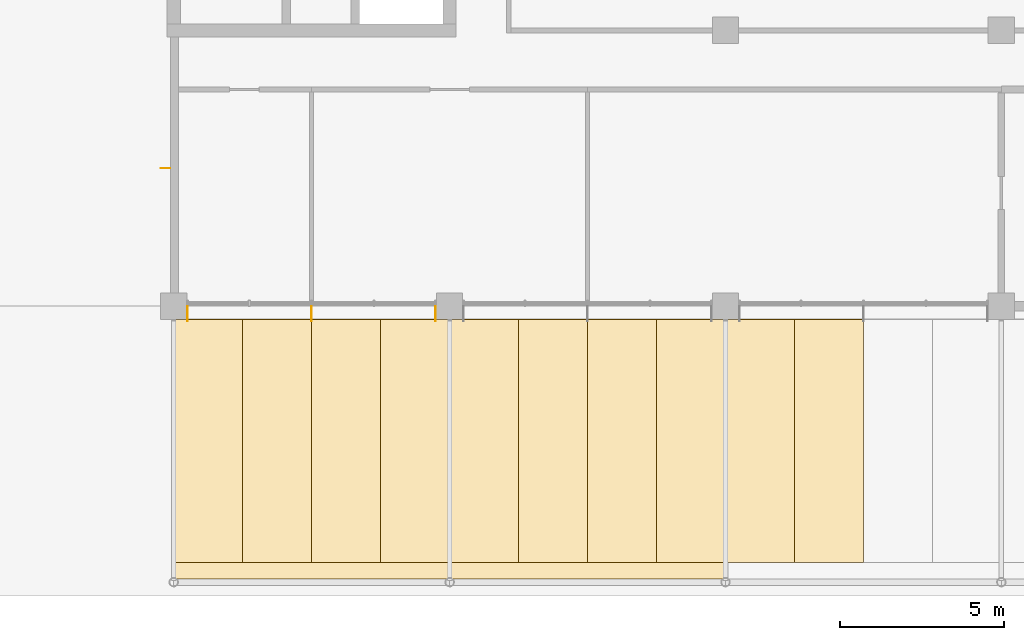
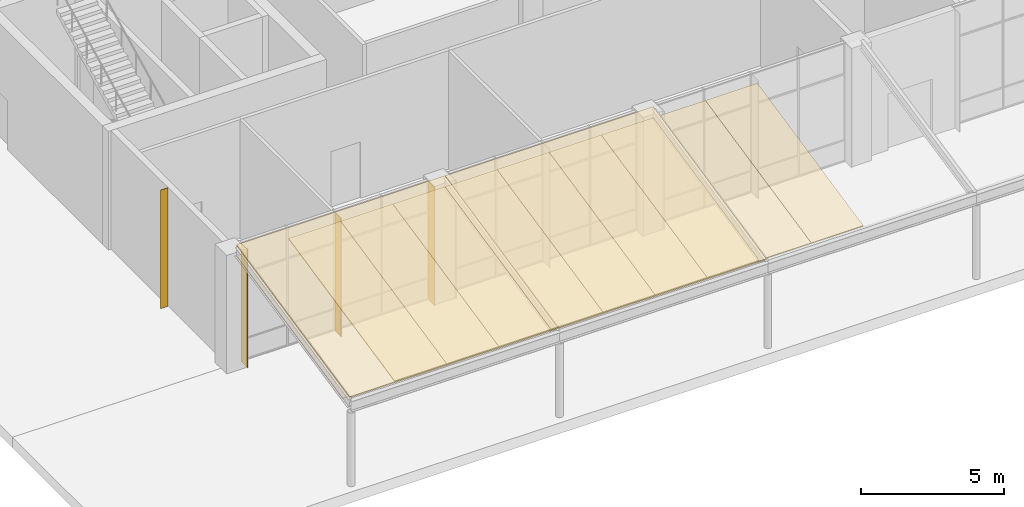
# One storey, part 56 of 76: 12 coverings, 4 shading devices.
"""IFC4 building model written with IfcOpenShell, lengths in metres."""

from ifc_helpers import new_model, si_unit, direction, frame, origin, origin_2d, place, context, subcontext, project, spatial, polyline, rectangle, outline, extrude, material, layer, layer_set, type_object, element, save


model = new_model("IFC4")

# Units and contexts
model_context = context("Model", 3, precision=1e-05, world=origin(), true_north=direction((0.0, 1.0)))
body_context = subcontext(model_context, "Body", "Model", "MODEL_VIEW")
ifc_project = project(units=[si_unit("LENGTHUNIT", "METRE"), si_unit("AREAUNIT", "SQUARE_METRE"), si_unit("VOLUMEUNIT", "CUBIC_METRE"), si_unit("PLANEANGLEUNIT", "RADIAN"), si_unit("MASSUNIT", "GRAM", prefix="KILO")], contexts=[model_context])

# Site, building, storey
site_placement = place(None, origin())
site = spatial("IfcSite", under=ifc_project, at=site_placement, CompositionType="ELEMENT")
building_placement = place(site_placement, origin())
building = spatial("IfcBuilding", under=site, at=building_placement, Name="Hlaing Beacon Police Headquarters", CompositionType="ELEMENT")
storey_placement = place(building_placement, origin())
storey = spatial("IfcBuildingStorey", under=building, at=storey_placement, Name="L00", CompositionType="ELEMENT", Elevation=0.0)

# Shading devices
ifc_material_1 = material(Name="Aluminium 6063-T5 anodised", Category="aluminium")
ifc_layer_1 = layer(ifc_material_1, 0.011962890625)
ifc_layer_set_1 = layer_set([ifc_layer_1], Name="Aluminium 6063-T5 anodised")
shading_device_type_1 = type_object("IfcShadingDeviceType", Name="Aluminium fin 12x300", PredefinedType="JALOUSIE", material=ifc_layer_set_1)
shading_device_placement = place(storey_placement, frame((8.14990234375, 12.60009765625, 0.0), z_axis=(0.0, 0.0, 1.0), x_axis=(0.0, -1.0, 0.0)))
element("IfcShadingDevice", 1, at=shading_device_placement, inside=storey, type_object=shading_device_type_1, Name="Fin L00 W005", PredefinedType="JALOUSIE", context=body_context, shape_type="SweptSolid", body=[
    extrude(rectangle(XDim=0.011962890625, YDim=0.300048828125, at=origin_2d()), origin(), (0.0, 0.0, 1.0), 5.050048828125),
])
ifc_material_2 = material(Name="Aluminium 6063-T5 anodised", Category="aluminium")
ifc_layer_2 = layer(ifc_material_2, 0.011962890625)
ifc_layer_set_2 = layer_set([ifc_layer_2], Name="Aluminium 6063-T5 anodised")
shading_device_type_2 = type_object("IfcShadingDeviceType", Name="Aluminium fin 12x450", PredefinedType="JALOUSIE", material=ifc_layer_set_2)
for number, where, z_axis, x_axis, name in (
    (2, (8.824951171875, 8.175048828125, 0.0), (0.0, 0.0, 1.0), (1.0, 0.0, 0.0), "Fin L00 S003.0"),
    (3, (12.60009765625, 8.175048828125, 0.0), (0.0, 0.0, 1.0), (1.0, 0.0, 0.0), "Fin L00 S003.2"),
    (4, (16.375, 8.175048828125, 0.0), (0.0, 0.0, 1.0), (1.0, 0.0, 0.0), "Fin L00 S003.4"),
):
    element("IfcShadingDevice", number, at=place(storey_placement, frame(where, z_axis=z_axis, x_axis=x_axis)), inside=storey, type_object=shading_device_type_2, Name=name, PredefinedType="JALOUSIE", context=body_context, shape_type="SweptSolid", body=[
        extrude(rectangle(XDim=0.011962890625, YDim=0.449951171875, at=origin_2d()), origin(), (0.0, 0.0, 1.0), 5.050048828125),
    ])

# Coverings
ifc_material_3 = material(Name="Standing seam aluminium roofing", Category="aluminium")
ifc_layer_3 = layer(ifc_material_3, 0.06005859375)
ifc_layer_set_3 = layer_set([ifc_layer_3], Name="Standing seam aluminium roofing")
covering_type_1 = type_object("IfcCoveringType", Name="Colonnade roofing 60", PredefinedType="ROOFING", material=ifc_layer_set_3)
covering_1_placement = place(storey_placement, frame((8.39990234375, 0.09521484375, 3.680419921875), z_axis=(0.0, -0.209524963903, 0.97780329796), x_axis=(1.0, 0.0, 0.0)))
element("IfcCovering", 5, at=covering_1_placement, inside=storey, type_object=covering_type_1, Name="South colonnade of the public front roofing 1", PredefinedType="ROOFING", context=body_context, shape_type="SweptSolid", body=[
    extrude(outline(polyline([(0.0, 0.0), (8.400146484375, 0.0), (8.400146484375, 8.084228364479442), (0.0, 8.084228364479442), (0.0, 0.0)])), origin(), (0.0, 0.0, -1.0), 0.06005859375),
])
covering_2_placement = place(storey_placement, frame((16.800048828125, 0.09521484375, 3.680419921875), z_axis=(0.0, -0.209524963903, 0.97780329796), x_axis=(1.0, 0.0, 0.0)))
element("IfcCovering", 6, at=covering_2_placement, inside=storey, type_object=covering_type_1, Name="South colonnade of the public front roofing 2", PredefinedType="ROOFING", context=body_context, shape_type="SweptSolid", body=[
    extrude(outline(polyline([(0.0, 0.0), (8.39990234375, 0.0), (8.39990234375, 8.084228364479442), (0.0, 8.084228364479442), (0.0, 0.0)])), origin(), (0.0, 0.0, -1.0), 0.06005859375),
])
ifc_material_4 = material(Name="Perforated aluminium", Category="aluminium")
ifc_layer_4 = layer(ifc_material_4, 0.0400390625)
ifc_layer_set_4 = layer_set([ifc_layer_4], Name="Perforated aluminium")
covering_type_2 = type_object("IfcCoveringType", Name="Perforated soffit panel 40", PredefinedType="CEILING", material=ifc_layer_set_4)
for number, where, z_axis, x_axis, name in (
    (7, (8.39990234375, 0.60009765625, 3.3154296875), (0.0, -0.209559932183, 0.977795804258), (1.0, 0.0, 0.0), "South colonnade of the public front soffit 1.1"),
    (8, (10.5, 0.60009765625, 3.3154296875), (0.0, -0.209559932183, 0.977795804258), (1.0, 0.0, 0.0), "South colonnade of the public front soffit 1.2"),
):
    element("IfcCovering", number, at=place(storey_placement, frame(where, z_axis=z_axis, x_axis=x_axis)), inside=storey, type_object=covering_type_2, Name=name, PredefinedType="CEILING", context=body_context, shape_type="SweptSolid", body=[
        extrude(outline(polyline([(0.0, 0.0), (2.10009765625, 0.0), (2.10009765625, 7.567942418580032), (0.0, 7.567942418580032), (0.0, 0.0)])), origin(), (0.0, 0.0, -1.0), 0.0400390625),
    ])
covering_3_placement = place(storey_placement, frame((12.60009765625, 0.60009765625, 3.3154296875), z_axis=(0.0, -0.209559932183, 0.977795804258), x_axis=(1.0, 0.0, 0.0)))
element("IfcCovering", 9, at=covering_3_placement, inside=storey, type_object=covering_type_2, Name="South colonnade of the public front soffit 1.3", PredefinedType="CEILING", context=body_context, shape_type="SweptSolid", body=[
    extrude(outline(polyline([(0.0, 0.0), (2.099853515625, 0.0), (2.099853515625, 7.567942418580033), (0.0, 7.567942418580033), (0.0, 0.0)])), origin(), (0.0, 0.0, -1.0), 0.0400390625),
])
covering_4_placement = place(storey_placement, frame((14.699951171875, 0.60009765625, 3.3154296875), z_axis=(0.0, -0.209559932183, 0.977795804258), x_axis=(1.0, 0.0, 0.0)))
element("IfcCovering", 10, at=covering_4_placement, inside=storey, type_object=covering_type_2, Name="South colonnade of the public front soffit 1.4", PredefinedType="CEILING", context=body_context, shape_type="SweptSolid", body=[
    extrude(outline(polyline([(0.0, 0.0), (2.10009765625, 0.0), (2.10009765625, 7.567942418580032), (0.0, 7.567942418580032), (0.0, 0.0)])), origin(), (0.0, 0.0, -1.0), 0.0400390625),
])
covering_5_placement = place(storey_placement, frame((16.800048828125, 0.60009765625, 3.3154296875), z_axis=(0.0, -0.209559932183, 0.977795804258), x_axis=(1.0, 0.0, 0.0)))
element("IfcCovering", 11, at=covering_5_placement, inside=storey, type_object=covering_type_2, Name="South colonnade of the public front soffit 2.1", PredefinedType="CEILING", context=body_context, shape_type="SweptSolid", body=[
    extrude(outline(polyline([(0.0, 0.0), (2.099853515625, 0.0), (2.099853515625, 7.567942418580033), (0.0, 7.567942418580033), (0.0, 0.0)])), origin(), (0.0, 0.0, -1.0), 0.0400390625),
])
for number, where, z_axis, x_axis, name in (
    (12, (18.89990234375, 0.60009765625, 3.3154296875), (0.0, -0.209559932183, 0.977795804258), (1.0, 0.0, 0.0), "South colonnade of the public front soffit 2.2"),
    (13, (21.0, 0.60009765625, 3.3154296875), (0.0, -0.209559932183, 0.977795804258), (1.0, 0.0, 0.0), "South colonnade of the public front soffit 2.3"),
):
    element("IfcCovering", number, at=place(storey_placement, frame(where, z_axis=z_axis, x_axis=x_axis)), inside=storey, type_object=covering_type_2, Name=name, PredefinedType="CEILING", context=body_context, shape_type="SweptSolid", body=[
        extrude(outline(polyline([(0.0, 0.0), (2.10009765625, 0.0), (2.10009765625, 7.567942418580032), (0.0, 7.567942418580032), (0.0, 0.0)])), origin(), (0.0, 0.0, -1.0), 0.0400390625),
    ])
covering_6_placement = place(storey_placement, frame((23.10009765625, 0.60009765625, 3.3154296875), z_axis=(0.0, -0.209559932183, 0.977795804258), x_axis=(1.0, 0.0, 0.0)))
element("IfcCovering", 14, at=covering_6_placement, inside=storey, type_object=covering_type_2, Name="South colonnade of the public front soffit 2.4", PredefinedType="CEILING", context=body_context, shape_type="SweptSolid", body=[
    extrude(outline(polyline([(0.0, 0.0), (2.099853515625, 0.0), (2.099853515625, 7.567942418580033), (0.0, 7.567942418580033), (0.0, 0.0)])), origin(), (0.0, 0.0, -1.0), 0.0400390625),
])
covering_7_placement = place(storey_placement, frame((25.199951171875, 0.60009765625, 3.3154296875), z_axis=(0.0, -0.209559932183, 0.977795804258), x_axis=(1.0, 0.0, 0.0)))
element("IfcCovering", 15, at=covering_7_placement, inside=storey, type_object=covering_type_2, Name="South colonnade of the public front soffit 3.1", PredefinedType="CEILING", context=body_context, shape_type="SweptSolid", body=[
    extrude(outline(polyline([(0.0, 0.0), (2.10009765625, 0.0), (2.10009765625, 7.567942418580032), (0.0, 7.567942418580032), (0.0, 0.0)])), origin(), (0.0, 0.0, -1.0), 0.0400390625),
])
covering_8_placement = place(storey_placement, frame((27.300048828125, 0.60009765625, 3.3154296875), z_axis=(0.0, -0.209559932183, 0.977795804258), x_axis=(1.0, 0.0, 0.0)))
element("IfcCovering", 16, at=covering_8_placement, inside=storey, type_object=covering_type_2, Name="South colonnade of the public front soffit 3.2", PredefinedType="CEILING", context=body_context, shape_type="SweptSolid", body=[
    extrude(outline(polyline([(0.0, 0.0), (2.099853515625, 0.0), (2.099853515625, 7.567942418580033), (0.0, 7.567942418580033), (0.0, 0.0)])), origin(), (0.0, 0.0, -1.0), 0.0400390625),
])

save(model, "model.ifc")
